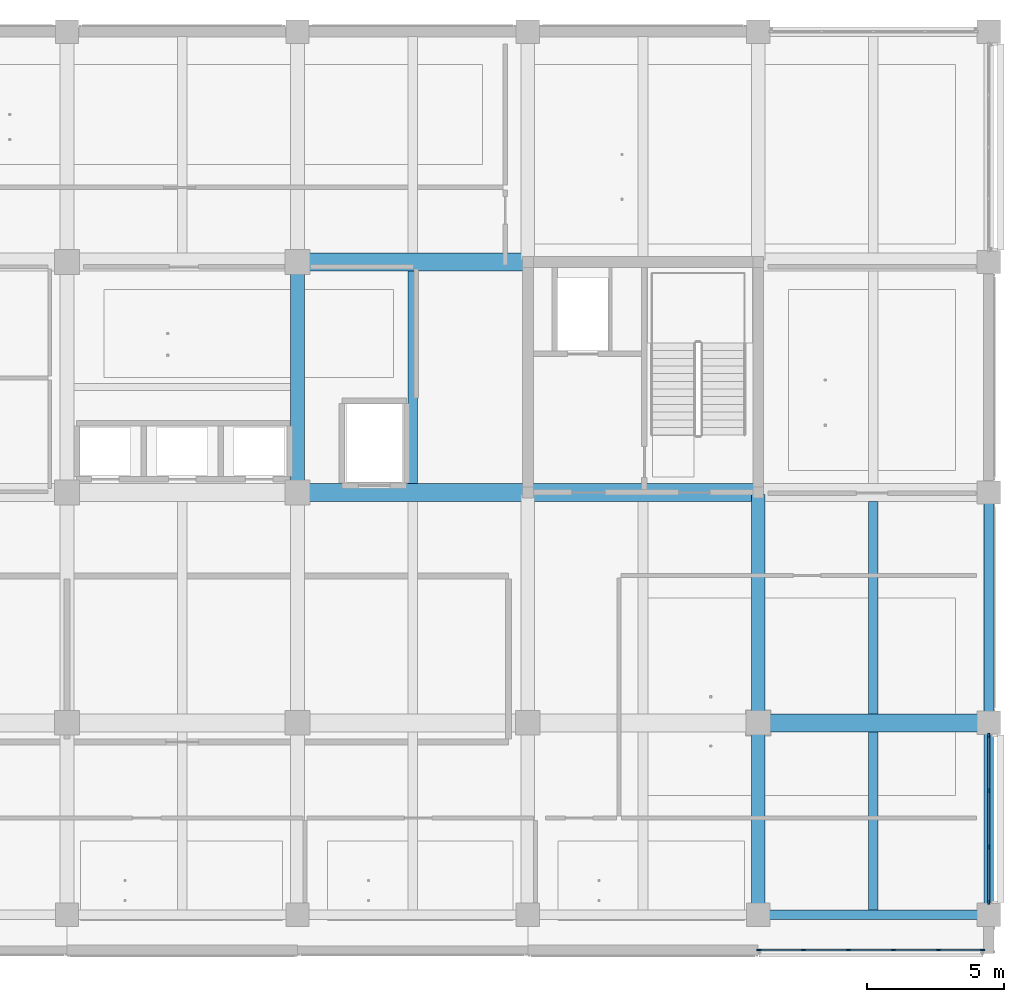
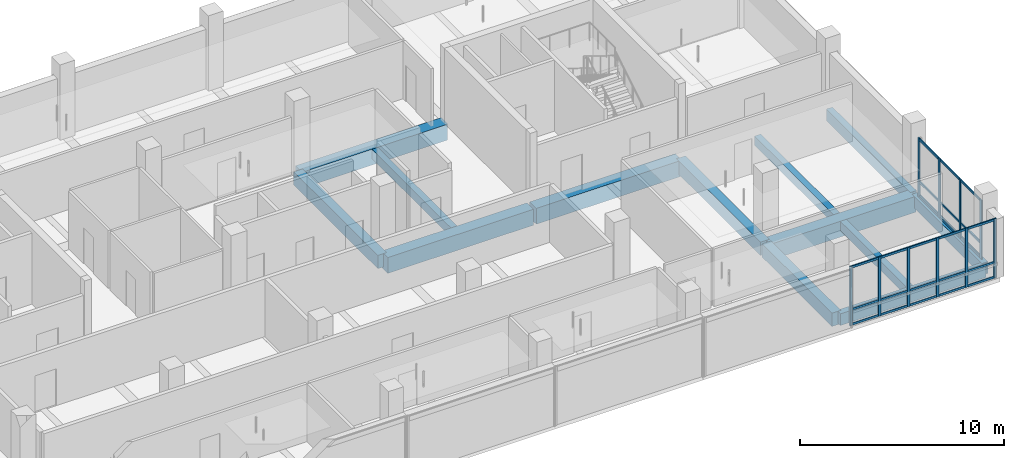
# One storey, part 6 of 36: 34 members, 13 beams, 2 elements without a shape of their own.
"""IFC4 building model written with IfcOpenShell, lengths in metres."""

from ifc_helpers import new_model, si_unit, direction, frame, origin, origin_2d, place, context, subcontext, project, spatial, rectangle, extrude, material, layer, layer_set, material_profile, profile_set, type_object, element, aggregate, save


model = new_model("IFC4")

# Units and contexts
model_context = context("Model", 3, precision=1e-05, world=origin(), true_north=direction((0.0, 1.0)))
body_context = subcontext(model_context, "Body", "Model", "MODEL_VIEW")
ifc_project = project(units=[si_unit("LENGTHUNIT", "METRE"), si_unit("AREAUNIT", "SQUARE_METRE"), si_unit("VOLUMEUNIT", "CUBIC_METRE"), si_unit("PLANEANGLEUNIT", "RADIAN"), si_unit("MASSUNIT", "GRAM", prefix="KILO")], contexts=[model_context])

# Site, building, storey
site_placement = place(None, origin())
site = spatial("IfcSite", under=ifc_project, at=site_placement, CompositionType="ELEMENT")
building_placement = place(site_placement, origin())
building = spatial("IfcBuilding", under=site, at=building_placement, Name="Telukmera Botanical Conservatory", CompositionType="ELEMENT")
storey_placement = place(building_placement, frame((0.0, 0.0, 24.0)))
storey = spatial("IfcBuildingStorey", under=building, at=storey_placement, Name="L05", CompositionType="ELEMENT", Elevation=24.0)

# Beams
ifc_material_1 = material(Name="Concrete C40/50", Category="concrete")
ifc_material_profile_1 = material_profile(ifc_material_1, rectangle(XDim=0.64990234375, YDim=0.949951171875, at=origin_2d()), Name="RC 650x950")
ifc_profile_set_1 = profile_set([ifc_material_profile_1], Name="Concrete C40/50")
beam_type_1 = type_object("IfcBeamType", Name="Beam_B2", PredefinedType="BEAM", material=ifc_profile_set_1)
beam_1_placement = place(storey_placement, frame((100.8798828125, 17.60009765625, -0.47509765625), z_axis=(1.0, 0.0, 0.0), x_axis=(0.0, 1.0, 0.0)))
element("IfcBeam", 1, at=beam_1_placement, inside=storey, type_object=beam_type_1, Name="Tower Grid Beam L05", PredefinedType="BEAM", context=body_context, shape_type="SweptSolid", body=[
    extrude(rectangle(XDim=0.64990234375, YDim=0.949951171875, at=origin_2d()), origin(), (0.0, 0.0, 1.0), 8.240234375),
])
for number, where, z_axis, x_axis, name in (
    (2, (84.080078125, 26.0, -0.47509765625), (1.0, 0.0, 0.0), (0.0, 1.0, 0.0), "Tower Grid Beam L05"),
    (3, (92.47998046875, 26.0, -0.47509765625), (1.0, 0.0, 0.0), (0.0, 1.0, 0.0), "Tower Grid Beam L05"),
    (4, (84.080078125, 34.39990234375, -0.47509765625), (1.0, 0.0, 0.0), (0.0, 1.0, 0.0), "Tower Grid Beam L05"),
):
    element("IfcBeam", number, at=place(storey_placement, frame(where, z_axis=z_axis, x_axis=x_axis)), inside=storey, type_object=beam_type_1, Name=name, PredefinedType="BEAM", context=body_context, shape_type="SweptSolid", body=[
        extrude(rectangle(XDim=0.64990234375, YDim=0.949951171875, at=origin_2d()), origin(), (0.0, 0.0, 1.0), 8.239990234375),
    ])
ifc_material_profile_2 = material_profile(ifc_material_1, rectangle(XDim=0.35009765625, YDim=0.550048828125, at=origin_2d()), Name="RC 350x550")
ifc_profile_set_2 = profile_set([ifc_material_profile_2], Name="Concrete C40/50")
beam_type_2 = type_object("IfcBeamType", Name="Beam_B21", PredefinedType="JOIST", material=ifc_profile_set_2)
beam_2_placement = place(storey_placement, frame((88.199951171875, 26.324951171875, -0.27490234375), z_axis=(0.0, 1.0, 0.0), x_axis=(-1.0, 0.0, 0.0)))
element("IfcBeam", 5, at=beam_2_placement, inside=storey, type_object=beam_type_2, Name="Tower Secondary Floor Joist L05", PredefinedType="JOIST", context=body_context, shape_type="SweptSolid", body=[
    extrude(rectangle(XDim=0.35009765625, YDim=0.550048828125, at=origin_2d()), origin(), (0.0, 0.0, 1.0), 7.75),
])
beam_3_placement = place(storey_placement, frame((105.0, 10.77490234375, -0.27490234375), z_axis=(0.0, 1.0, 0.0), x_axis=(-1.0, 0.0, 0.0)))
element("IfcBeam", 6, at=beam_3_placement, inside=storey, type_object=beam_type_2, Name="Tower Secondary Floor Joist L05", PredefinedType="JOIST", context=body_context, shape_type="SweptSolid", body=[
    extrude(rectangle(XDim=0.35009765625, YDim=0.550048828125, at=origin_2d()), origin(), (0.0, 0.0, 1.0), 6.5),
])
beam_4_placement = place(storey_placement, frame((105.0, 17.925048828125, -0.27490234375), z_axis=(0.0, 1.0, 0.0), x_axis=(-1.0, 0.0, 0.0)))
element("IfcBeam", 7, at=beam_4_placement, inside=storey, type_object=beam_type_2, Name="Tower Secondary Floor Joist L05", PredefinedType="JOIST", context=body_context, shape_type="SweptSolid", body=[
    extrude(rectangle(XDim=0.35009765625, YDim=0.550048828125, at=origin_2d()), origin(), (0.0, 0.0, 1.0), 7.75),
])
ifc_material_profile_3 = material_profile(ifc_material_1, rectangle(XDim=0.5, YDim=0.800048828125, at=origin_2d()), Name="RC 500x800")
ifc_profile_set_3 = profile_set([ifc_material_profile_3], Name="Concrete C40/50")
beam_type_3 = type_object("IfcBeamType", Name="Beam_B5", PredefinedType="BEAM", material=ifc_profile_set_3)
beam_5_placement = place(storey_placement, frame((84.0, 26.080078125, -0.39990234375), z_axis=(0.0, 1.0, 0.0), x_axis=(-1.0, 0.0, 0.0)))
element("IfcBeam", 8, at=beam_5_placement, inside=storey, type_object=beam_type_3, Name="Tower Transverse Beam L05", PredefinedType="BEAM", context=body_context, shape_type="SweptSolid", body=[
    extrude(rectangle(XDim=0.5, YDim=0.800048828125, at=origin_2d()), origin(), (0.0, 0.0, 1.0), 8.239990234375),
])
beam_6_placement = place(storey_placement, frame((100.800048828125, 10.679931640625, -0.39990234375), z_axis=(0.0, 1.0, 0.0), x_axis=(-1.0, 0.0, 0.0)))
element("IfcBeam", 9, at=beam_6_placement, inside=storey, type_object=beam_type_3, Name="Tower Transverse Beam L05", PredefinedType="BEAM", context=body_context, shape_type="SweptSolid", body=[
    extrude(rectangle(XDim=0.5, YDim=0.800048828125, at=origin_2d()), origin(), (0.0, 0.0, 1.0), 6.840087890625),
])
beam_7_placement = place(storey_placement, frame((100.800048828125, 17.679931640625, -0.39990234375), z_axis=(0.0, 1.0, 0.0), x_axis=(-1.0, 0.0, 0.0)))
element("IfcBeam", 10, at=beam_7_placement, inside=storey, type_object=beam_type_3, Name="Tower Transverse Beam L05", PredefinedType="BEAM", context=body_context, shape_type="SweptSolid", body=[
    extrude(rectangle(XDim=0.5, YDim=0.800048828125, at=origin_2d()), origin(), (0.0, 0.0, 1.0), 8.239990234375),
])
ifc_material_2 = material(Name="Precast concrete C40/50", Category="concrete")
ifc_material_profile_4 = material_profile(ifc_material_2, rectangle(XDim=0.35009765625, YDim=0.699951171875, at=origin_2d()), Name="PC 350x700")
ifc_profile_set_4 = profile_set([ifc_material_profile_4], Name="Precast concrete C40/50")
beam_type_4 = type_object("IfcBeamType", Name="Beam_SP2", PredefinedType="SPANDREL", material=ifc_profile_set_4)
beam_8_placement = place(storey_placement, frame((100.8798828125, 10.60009765625, -0.35009765625), z_axis=(1.0, 0.0, 0.0), x_axis=(0.0, 1.0, 0.0)))
element("IfcBeam", 11, at=beam_8_placement, inside=storey, type_object=beam_type_4, Name="Tower Grid Beam L05", PredefinedType="SPANDREL", context=body_context, shape_type="SweptSolid", body=[
    extrude(rectangle(XDim=0.35009765625, YDim=0.699951171875, at=origin_2d()), origin(), (0.0, 0.0, 1.0), 8.240234375),
])
beam_9_placement = place(storey_placement, frame((109.199951171875, 10.679931640625, -0.35009765625), z_axis=(0.0, 1.0, 0.0), x_axis=(-1.0, 0.0, 0.0)))
element("IfcBeam", 12, at=beam_9_placement, inside=storey, type_object=beam_type_4, Name="Tower Transverse Beam L05", PredefinedType="SPANDREL", context=body_context, shape_type="SweptSolid", body=[
    extrude(rectangle(XDim=0.35009765625, YDim=0.699951171875, at=origin_2d()), origin(), (0.0, 0.0, 1.0), 6.840087890625),
])
beam_10_placement = place(storey_placement, frame((109.199951171875, 17.679931640625, -0.35009765625), z_axis=(0.0, 1.0, 0.0), x_axis=(-1.0, 0.0, 0.0)))
element("IfcBeam", 13, at=beam_10_placement, inside=storey, type_object=beam_type_4, Name="Tower Transverse Beam L05", PredefinedType="SPANDREL", context=body_context, shape_type="SweptSolid", body=[
    extrude(rectangle(XDim=0.35009765625, YDim=0.699951171875, at=origin_2d()), origin(), (0.0, 0.0, 1.0), 8.239990234375),
])

# Curtain wall, members
ifc_material_3 = material(Name="Anodised aluminium 6063-T6", Category="aluminium")
ifc_layer = layer(ifc_material_3, 0.179931640625)
ifc_layer_set = layer_set([ifc_layer], Name="Anodised aluminium 6063-T6")
curtain_wall_type = type_object("IfcCurtainWallType", Name="Tower Herbarium Curation Corner Curtain Wall", PredefinedType="USERDEFINED", material=ifc_layer_set)
curtain_wall_1_placement = place(storey_placement, origin())
curtain_wall_1 = element("IfcCurtainWall", 14, at=curtain_wall_1_placement, inside=storey, type_object=curtain_wall_type, Name="Unitised Curtain Wall CW14 V4:L05:S7", ObjectType="UNITISED CURTAIN WALL", PredefinedType="USERDEFINED")
ifc_material_profile_5 = material_profile(ifc_material_3, rectangle(XDim=0.06494140625, YDim=0.159912109375, at=origin_2d()), Name="ALU MULL 65x160")
ifc_profile_set_5 = profile_set([ifc_material_profile_5], Name="Anodised aluminium 6063-T6")
member_type_1 = type_object("IfcMemberType", Name="Curtain Wall Extruded Mullion 65x160", PredefinedType="MULLION", material=ifc_profile_set_5)
member_1_placement = place(storey_placement, frame((100.83447265625, 9.320068359375, 0.0), z_axis=(0.0, 0.0, 1.0), x_axis=(0.0, 1.0, 0.0)))
member_1 = element("IfcMember", 15, at=member_1_placement, type_object=member_type_1, Name="CW14 mullion 1", PredefinedType="MULLION", context=body_context, shape_type="SweptSolid", body=[
    extrude(rectangle(XDim=0.06494140625, YDim=0.159912109375, at=origin_2d()), origin(), (0.0, 0.0, 1.0), 3.550048828125),
])
member_2_placement = place(storey_placement, frame((102.443115234375, 9.320068359375, 0.0), z_axis=(0.0, 0.0, 1.0), x_axis=(0.0, 1.0, 0.0)))
member_2 = element("IfcMember", 16, at=member_2_placement, type_object=member_type_1, Name="CW14 mullion 2", PredefinedType="MULLION", context=body_context, shape_type="SweptSolid", body=[
    extrude(rectangle(XDim=0.06494140625, YDim=0.159912109375, at=origin_2d()), origin(), (0.0, 0.0, 1.0), 3.550048828125),
])
member_3_placement = place(storey_placement, frame((104.08447265625, 9.320068359375, 0.0), z_axis=(0.0, 0.0, 1.0), x_axis=(0.0, 1.0, 0.0)))
member_3 = element("IfcMember", 17, at=member_3_placement, type_object=member_type_1, Name="CW14 mullion 3", PredefinedType="MULLION", context=body_context, shape_type="SweptSolid", body=[
    extrude(rectangle(XDim=0.06494140625, YDim=0.159912109375, at=origin_2d()), origin(), (0.0, 0.0, 1.0), 3.550048828125),
])
member_4_placement = place(storey_placement, frame((105.7255859375, 9.320068359375, 0.0), z_axis=(0.0, 0.0, 1.0), x_axis=(0.0, 1.0, 0.0)))
member_4 = element("IfcMember", 18, at=member_4_placement, type_object=member_type_1, Name="CW14 mullion 4", PredefinedType="MULLION", context=body_context, shape_type="SweptSolid", body=[
    extrude(rectangle(XDim=0.06494140625, YDim=0.159912109375, at=origin_2d()), origin(), (0.0, 0.0, 1.0), 3.550048828125),
])
member_5_placement = place(storey_placement, frame((107.36669921875, 9.320068359375, 0.0), z_axis=(0.0, 0.0, 1.0), x_axis=(0.0, 1.0, 0.0)))
member_5 = element("IfcMember", 19, at=member_5_placement, type_object=member_type_1, Name="CW14 mullion 5", PredefinedType="MULLION", context=body_context, shape_type="SweptSolid", body=[
    extrude(rectangle(XDim=0.06494140625, YDim=0.159912109375, at=origin_2d()), origin(), (0.0, 0.0, 1.0), 3.550048828125),
])
member_6_placement = place(storey_placement, frame((108.9755859375, 9.320068359375, 0.0), z_axis=(0.0, 0.0, 1.0), x_axis=(0.0, 1.0, 0.0)))
member_6 = element("IfcMember", 20, at=member_6_placement, type_object=member_type_1, Name="CW14 mullion 6", PredefinedType="MULLION", context=body_context, shape_type="SweptSolid", body=[
    extrude(rectangle(XDim=0.06494140625, YDim=0.159912109375, at=origin_2d()), origin(), (0.0, 0.0, 1.0), 3.550048828125),
])

curtain_wall_2_placement = place(storey_placement, origin())
curtain_wall_2 = element("IfcCurtainWall", 21, at=curtain_wall_2_placement, inside=storey, type_object=curtain_wall_type, Name="Unitised Curtain Wall CW14 V4:L05:E1", ObjectType="UNITISED CURTAIN WALL", PredefinedType="USERDEFINED")
member_7_placement = place(storey_placement, frame((109.199951171875, 11.0595703125, 0.0), z_axis=(0.0, 0.0, 1.0), x_axis=(-1.0, 0.0, 0.0)))
member_7 = element("IfcMember", 22, at=member_7_placement, type_object=member_type_1, Name="CW14 mullion 1", PredefinedType="MULLION", context=body_context, shape_type="SweptSolid", body=[
    extrude(rectangle(XDim=0.06494140625, YDim=0.159912109375, at=origin_2d()), origin(), (0.0, 0.0, 1.0), 3.550048828125),
])
member_8_placement = place(storey_placement, frame((109.199951171875, 13.07568359375, 0.0), z_axis=(0.0, 0.0, 1.0), x_axis=(-1.0, 0.0, 0.0)))
member_8 = element("IfcMember", 23, at=member_8_placement, type_object=member_type_1, Name="CW14 mullion 2", PredefinedType="MULLION", context=body_context, shape_type="SweptSolid", body=[
    extrude(rectangle(XDim=0.06494140625, YDim=0.159912109375, at=origin_2d()), origin(), (0.0, 0.0, 1.0), 3.550048828125),
])
member_9_placement = place(storey_placement, frame((109.199951171875, 15.124267578125, 0.0), z_axis=(0.0, 0.0, 1.0), x_axis=(-1.0, 0.0, 0.0)))
member_9 = element("IfcMember", 24, at=member_9_placement, type_object=member_type_1, Name="CW14 mullion 3", PredefinedType="MULLION", context=body_context, shape_type="SweptSolid", body=[
    extrude(rectangle(XDim=0.06494140625, YDim=0.159912109375, at=origin_2d()), origin(), (0.0, 0.0, 1.0), 3.550048828125),
])
member_10_placement = place(storey_placement, frame((109.199951171875, 17.140380859375, 0.0), z_axis=(0.0, 0.0, 1.0), x_axis=(-1.0, 0.0, 0.0)))
member_10 = element("IfcMember", 25, at=member_10_placement, type_object=member_type_1, Name="CW14 mullion 4", PredefinedType="MULLION", context=body_context, shape_type="SweptSolid", body=[
    extrude(rectangle(XDim=0.06494140625, YDim=0.159912109375, at=origin_2d()), origin(), (0.0, 0.0, 1.0), 3.550048828125),
])

# Member
ifc_material_profile_6 = material_profile(ifc_material_3, rectangle(XDim=0.06494140625, YDim=0.1298828125, at=origin_2d()), Name="ALU TRAN 65x130")
ifc_profile_set_6 = profile_set([ifc_material_profile_6], Name="Anodised aluminium 6063-T6")
member_type_2 = type_object("IfcMemberType", Name="Curtain Wall Extruded Transom 65x130", PredefinedType="USERDEFINED", material=ifc_profile_set_6)
member_11_placement = place(storey_placement, frame((100.866943359375, 9.320068359375, 0.06494140625), z_axis=(1.0, 0.0, 0.0), x_axis=(0.0, 1.0, 0.0)))
member_11 = element("IfcMember", 26, at=member_11_placement, type_object=member_type_2, Name="CW14 transom 1.1", ObjectType="TRANSOM", PredefinedType="USERDEFINED", context=body_context, shape_type="SweptSolid", body=[
    extrude(rectangle(XDim=0.06494140625, YDim=0.1298828125, at=origin_2d()), origin(), (0.0, 0.0, 1.0), 1.543701171875),
])

member_12_placement = place(storey_placement, frame((100.866943359375, 9.320068359375, 0.949951171875), z_axis=(1.0, 0.0, 0.0), x_axis=(0.0, 1.0, 0.0)))
member_12 = element("IfcMember", 27, at=member_12_placement, type_object=member_type_2, Name="CW14 transom 1.2", ObjectType="TRANSOM", PredefinedType="USERDEFINED", context=body_context, shape_type="SweptSolid", body=[
    extrude(rectangle(XDim=0.06494140625, YDim=0.1298828125, at=origin_2d()), origin(), (0.0, 0.0, 1.0), 1.543701171875),
])

member_13_placement = place(storey_placement, frame((100.866943359375, 9.320068359375, 3.485107421875), z_axis=(1.0, 0.0, 0.0), x_axis=(0.0, 1.0, 0.0)))
member_13 = element("IfcMember", 28, at=member_13_placement, type_object=member_type_2, Name="CW14 transom 1.3", ObjectType="TRANSOM", PredefinedType="USERDEFINED", context=body_context, shape_type="SweptSolid", body=[
    extrude(rectangle(XDim=0.06494140625, YDim=0.1298828125, at=origin_2d()), origin(), (0.0, 0.0, 1.0), 1.543701171875),
])

member_14_placement = place(storey_placement, frame((102.4755859375, 9.320068359375, 0.06494140625), z_axis=(1.0, 0.0, 0.0), x_axis=(0.0, 1.0, 0.0)))
member_14 = element("IfcMember", 29, at=member_14_placement, type_object=member_type_2, Name="CW14 transom 2.1", ObjectType="TRANSOM", PredefinedType="USERDEFINED", context=body_context, shape_type="SweptSolid", body=[
    extrude(rectangle(XDim=0.06494140625, YDim=0.1298828125, at=origin_2d()), origin(), (0.0, 0.0, 1.0), 1.576416015625),
])

member_15_placement = place(storey_placement, frame((102.4755859375, 9.320068359375, 0.949951171875), z_axis=(1.0, 0.0, 0.0), x_axis=(0.0, 1.0, 0.0)))
member_15 = element("IfcMember", 30, at=member_15_placement, type_object=member_type_2, Name="CW14 transom 2.2", ObjectType="TRANSOM", PredefinedType="USERDEFINED", context=body_context, shape_type="SweptSolid", body=[
    extrude(rectangle(XDim=0.06494140625, YDim=0.1298828125, at=origin_2d()), origin(), (0.0, 0.0, 1.0), 1.576416015625),
])

member_16_placement = place(storey_placement, frame((102.4755859375, 9.320068359375, 3.485107421875), z_axis=(1.0, 0.0, 0.0), x_axis=(0.0, 1.0, 0.0)))
member_16 = element("IfcMember", 31, at=member_16_placement, type_object=member_type_2, Name="CW14 transom 2.3", ObjectType="TRANSOM", PredefinedType="USERDEFINED", context=body_context, shape_type="SweptSolid", body=[
    extrude(rectangle(XDim=0.06494140625, YDim=0.1298828125, at=origin_2d()), origin(), (0.0, 0.0, 1.0), 1.576416015625),
])

member_17_placement = place(storey_placement, frame((104.116943359375, 9.320068359375, 0.06494140625), z_axis=(1.0, 0.0, 0.0), x_axis=(0.0, 1.0, 0.0)))
member_17 = element("IfcMember", 32, at=member_17_placement, type_object=member_type_2, Name="CW14 transom 3.1", ObjectType="TRANSOM", PredefinedType="USERDEFINED", context=body_context, shape_type="SweptSolid", body=[
    extrude(rectangle(XDim=0.06494140625, YDim=0.1298828125, at=origin_2d()), origin(), (0.0, 0.0, 1.0), 1.576171875),
])

member_18_placement = place(storey_placement, frame((104.116943359375, 9.320068359375, 0.949951171875), z_axis=(1.0, 0.0, 0.0), x_axis=(0.0, 1.0, 0.0)))
member_18 = element("IfcMember", 33, at=member_18_placement, type_object=member_type_2, Name="CW14 transom 3.2", ObjectType="TRANSOM", PredefinedType="USERDEFINED", context=body_context, shape_type="SweptSolid", body=[
    extrude(rectangle(XDim=0.06494140625, YDim=0.1298828125, at=origin_2d()), origin(), (0.0, 0.0, 1.0), 1.576171875),
])

member_19_placement = place(storey_placement, frame((104.116943359375, 9.320068359375, 3.485107421875), z_axis=(1.0, 0.0, 0.0), x_axis=(0.0, 1.0, 0.0)))
member_19 = element("IfcMember", 34, at=member_19_placement, type_object=member_type_2, Name="CW14 transom 3.3", ObjectType="TRANSOM", PredefinedType="USERDEFINED", context=body_context, shape_type="SweptSolid", body=[
    extrude(rectangle(XDim=0.06494140625, YDim=0.1298828125, at=origin_2d()), origin(), (0.0, 0.0, 1.0), 1.576171875),
])

member_20_placement = place(storey_placement, frame((105.758056640625, 9.320068359375, 0.06494140625), z_axis=(1.0, 0.0, 0.0), x_axis=(0.0, 1.0, 0.0)))
member_20 = element("IfcMember", 35, at=member_20_placement, type_object=member_type_2, Name="CW14 transom 4.1", ObjectType="TRANSOM", PredefinedType="USERDEFINED", context=body_context, shape_type="SweptSolid", body=[
    extrude(rectangle(XDim=0.06494140625, YDim=0.1298828125, at=origin_2d()), origin(), (0.0, 0.0, 1.0), 1.576171875),
])

member_21_placement = place(storey_placement, frame((105.758056640625, 9.320068359375, 0.949951171875), z_axis=(1.0, 0.0, 0.0), x_axis=(0.0, 1.0, 0.0)))
member_21 = element("IfcMember", 36, at=member_21_placement, type_object=member_type_2, Name="CW14 transom 4.2", ObjectType="TRANSOM", PredefinedType="USERDEFINED", context=body_context, shape_type="SweptSolid", body=[
    extrude(rectangle(XDim=0.06494140625, YDim=0.1298828125, at=origin_2d()), origin(), (0.0, 0.0, 1.0), 1.576171875),
])

member_22_placement = place(storey_placement, frame((105.758056640625, 9.320068359375, 3.485107421875), z_axis=(1.0, 0.0, 0.0), x_axis=(0.0, 1.0, 0.0)))
member_22 = element("IfcMember", 37, at=member_22_placement, type_object=member_type_2, Name="CW14 transom 4.3", ObjectType="TRANSOM", PredefinedType="USERDEFINED", context=body_context, shape_type="SweptSolid", body=[
    extrude(rectangle(XDim=0.06494140625, YDim=0.1298828125, at=origin_2d()), origin(), (0.0, 0.0, 1.0), 1.576171875),
])

member_23_placement = place(storey_placement, frame((107.3994140625, 9.320068359375, 0.06494140625), z_axis=(1.0, 0.0, 0.0), x_axis=(0.0, 1.0, 0.0)))
member_23 = element("IfcMember", 38, at=member_23_placement, type_object=member_type_2, Name="CW14 transom 5.1", ObjectType="TRANSOM", PredefinedType="USERDEFINED", context=body_context, shape_type="SweptSolid", body=[
    extrude(rectangle(XDim=0.06494140625, YDim=0.1298828125, at=origin_2d()), origin(), (0.0, 0.0, 1.0), 1.543701171875),
])

member_24_placement = place(storey_placement, frame((107.3994140625, 9.320068359375, 0.949951171875), z_axis=(1.0, 0.0, 0.0), x_axis=(0.0, 1.0, 0.0)))
member_24 = element("IfcMember", 39, at=member_24_placement, type_object=member_type_2, Name="CW14 transom 5.2", ObjectType="TRANSOM", PredefinedType="USERDEFINED", context=body_context, shape_type="SweptSolid", body=[
    extrude(rectangle(XDim=0.06494140625, YDim=0.1298828125, at=origin_2d()), origin(), (0.0, 0.0, 1.0), 1.543701171875),
])

member_25_placement = place(storey_placement, frame((107.3994140625, 9.320068359375, 3.485107421875), z_axis=(1.0, 0.0, 0.0), x_axis=(0.0, 1.0, 0.0)))
member_25 = element("IfcMember", 40, at=member_25_placement, type_object=member_type_2, Name="CW14 transom 5.3", ObjectType="TRANSOM", PredefinedType="USERDEFINED", context=body_context, shape_type="SweptSolid", body=[
    extrude(rectangle(XDim=0.06494140625, YDim=0.1298828125, at=origin_2d()), origin(), (0.0, 0.0, 1.0), 1.543701171875),
])

aggregate(curtain_wall_1, [member_1, member_2, member_3, member_4, member_5, member_6, member_11, member_12, member_13, member_14, member_15, member_16, member_17, member_18, member_19, member_20, member_21, member_22, member_23, member_24, member_25])

member_26_placement = place(storey_placement, frame((109.199951171875, 11.092041015625, 0.06494140625), z_axis=(0.0, 1.0, 0.0), x_axis=(-1.0, 0.0, 0.0)))
member_26 = element("IfcMember", 41, at=member_26_placement, type_object=member_type_2, Name="CW14 transom 1.1", ObjectType="TRANSOM", PredefinedType="USERDEFINED", context=body_context, shape_type="SweptSolid", body=[
    extrude(rectangle(XDim=0.06494140625, YDim=0.1298828125, at=origin_2d()), origin(), (0.0, 0.0, 1.0), 1.951171875),
])

member_27_placement = place(storey_placement, frame((109.199951171875, 11.092041015625, 0.949951171875), z_axis=(0.0, 1.0, 0.0), x_axis=(-1.0, 0.0, 0.0)))
member_27 = element("IfcMember", 42, at=member_27_placement, type_object=member_type_2, Name="CW14 transom 1.2", ObjectType="TRANSOM", PredefinedType="USERDEFINED", context=body_context, shape_type="SweptSolid", body=[
    extrude(rectangle(XDim=0.06494140625, YDim=0.1298828125, at=origin_2d()), origin(), (0.0, 0.0, 1.0), 1.951171875),
])

member_28_placement = place(storey_placement, frame((109.199951171875, 11.092041015625, 3.485107421875), z_axis=(0.0, 1.0, 0.0), x_axis=(-1.0, 0.0, 0.0)))
member_28 = element("IfcMember", 43, at=member_28_placement, type_object=member_type_2, Name="CW14 transom 1.3", ObjectType="TRANSOM", PredefinedType="USERDEFINED", context=body_context, shape_type="SweptSolid", body=[
    extrude(rectangle(XDim=0.06494140625, YDim=0.1298828125, at=origin_2d()), origin(), (0.0, 0.0, 1.0), 1.951171875),
])

member_29_placement = place(storey_placement, frame((109.199951171875, 13.108154296875, 0.06494140625), z_axis=(0.0, 1.0, 0.0), x_axis=(-1.0, 0.0, 0.0)))
member_29 = element("IfcMember", 44, at=member_29_placement, type_object=member_type_2, Name="CW14 transom 2.1", ObjectType="TRANSOM", PredefinedType="USERDEFINED", context=body_context, shape_type="SweptSolid", body=[
    extrude(rectangle(XDim=0.06494140625, YDim=0.1298828125, at=origin_2d()), origin(), (0.0, 0.0, 1.0), 1.983642578125),
])

member_30_placement = place(storey_placement, frame((109.199951171875, 13.108154296875, 0.949951171875), z_axis=(0.0, 1.0, 0.0), x_axis=(-1.0, 0.0, 0.0)))
member_30 = element("IfcMember", 45, at=member_30_placement, type_object=member_type_2, Name="CW14 transom 2.2", ObjectType="TRANSOM", PredefinedType="USERDEFINED", context=body_context, shape_type="SweptSolid", body=[
    extrude(rectangle(XDim=0.06494140625, YDim=0.1298828125, at=origin_2d()), origin(), (0.0, 0.0, 1.0), 1.983642578125),
])

member_31_placement = place(storey_placement, frame((109.199951171875, 13.108154296875, 3.485107421875), z_axis=(0.0, 1.0, 0.0), x_axis=(-1.0, 0.0, 0.0)))
member_31 = element("IfcMember", 46, at=member_31_placement, type_object=member_type_2, Name="CW14 transom 2.3", ObjectType="TRANSOM", PredefinedType="USERDEFINED", context=body_context, shape_type="SweptSolid", body=[
    extrude(rectangle(XDim=0.06494140625, YDim=0.1298828125, at=origin_2d()), origin(), (0.0, 0.0, 1.0), 1.983642578125),
])

member_32_placement = place(storey_placement, frame((109.199951171875, 15.15673828125, 0.06494140625), z_axis=(0.0, 1.0, 0.0), x_axis=(-1.0, 0.0, 0.0)))
member_32 = element("IfcMember", 47, at=member_32_placement, type_object=member_type_2, Name="CW14 transom 3.1", ObjectType="TRANSOM", PredefinedType="USERDEFINED", context=body_context, shape_type="SweptSolid", body=[
    extrude(rectangle(XDim=0.06494140625, YDim=0.1298828125, at=origin_2d()), origin(), (0.0, 0.0, 1.0), 1.951171875),
])

member_33_placement = place(storey_placement, frame((109.199951171875, 15.15673828125, 0.949951171875), z_axis=(0.0, 1.0, 0.0), x_axis=(-1.0, 0.0, 0.0)))
member_33 = element("IfcMember", 48, at=member_33_placement, type_object=member_type_2, Name="CW14 transom 3.2", ObjectType="TRANSOM", PredefinedType="USERDEFINED", context=body_context, shape_type="SweptSolid", body=[
    extrude(rectangle(XDim=0.06494140625, YDim=0.1298828125, at=origin_2d()), origin(), (0.0, 0.0, 1.0), 1.951171875),
])

member_34_placement = place(storey_placement, frame((109.199951171875, 15.15673828125, 3.485107421875), z_axis=(0.0, 1.0, 0.0), x_axis=(-1.0, 0.0, 0.0)))
member_34 = element("IfcMember", 49, at=member_34_placement, type_object=member_type_2, Name="CW14 transom 3.3", ObjectType="TRANSOM", PredefinedType="USERDEFINED", context=body_context, shape_type="SweptSolid", body=[
    extrude(rectangle(XDim=0.06494140625, YDim=0.1298828125, at=origin_2d()), origin(), (0.0, 0.0, 1.0), 1.951171875),
])

aggregate(curtain_wall_2, [member_7, member_8, member_9, member_10, member_26, member_27, member_28, member_29, member_30, member_31, member_32, member_33, member_34])

save(model, "model.ifc")
